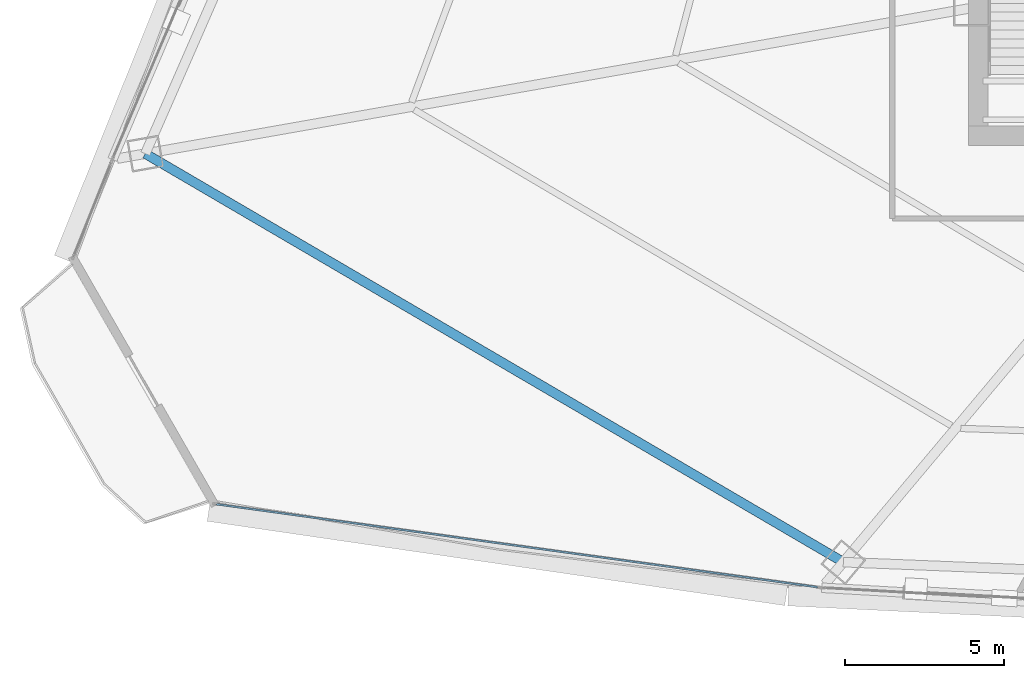
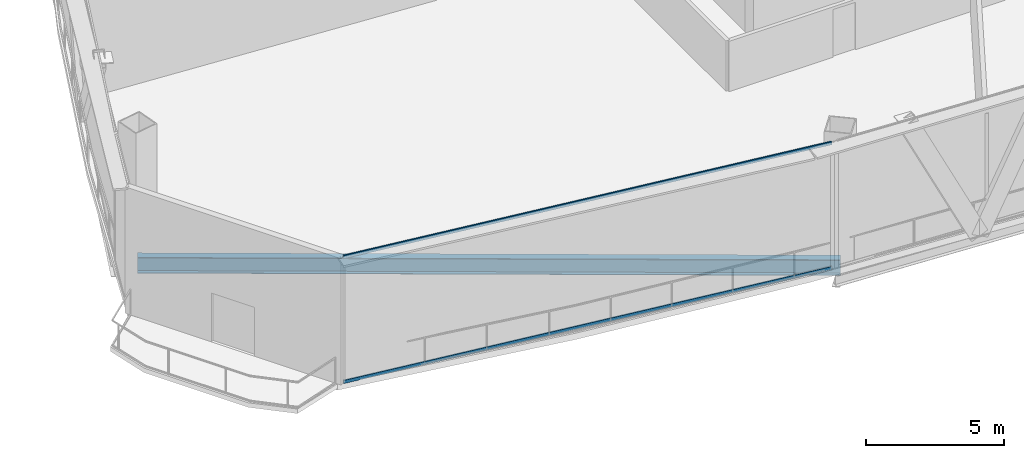
# One storey, part 3 of 36: 2 members, 1 beam, 1 element without a shape of its own.
"""IFC4 building model written with IfcOpenShell, lengths in metres."""

from ifc_helpers import new_model, si_unit, direction, frame, origin, origin_2d, place, context, subcontext, project, spatial, hollow_rectangle, i_section, extrude, source, transform, mapped, material, layer, layer_set, material_profile, profile_set, type_object, element, aggregate, save


model = new_model("IFC4")

# Units and contexts
model_context = context("Model", 3, precision=1e-05, world=origin(), true_north=direction((0.0, 1.0)))
body_context = subcontext(model_context, "Body", "Model", "MODEL_VIEW")
ifc_project = project(units=[si_unit("LENGTHUNIT", "METRE"), si_unit("AREAUNIT", "SQUARE_METRE"), si_unit("VOLUMEUNIT", "CUBIC_METRE"), si_unit("PLANEANGLEUNIT", "RADIAN"), si_unit("MASSUNIT", "GRAM", prefix="KILO"), si_unit("THERMODYNAMICTEMPERATUREUNIT", "KELVIN"), si_unit("POWERUNIT", "WATT")], contexts=[model_context])

# Site, building, storey
site_placement = place(None, origin())
site = spatial("IfcSite", under=ifc_project, at=site_placement, CompositionType="ELEMENT")
building_placement = place(site_placement, origin())
building = spatial("IfcBuilding", under=site, at=building_placement, Name="Yunzhuo Pagoda Commons", CompositionType="ELEMENT")
storey_placement = place(building_placement, frame((0.0, 0.0, 119.179931640625)))
storey = spatial("IfcBuildingStorey", under=building, at=storey_placement, Name="L30", CompositionType="ELEMENT", Elevation=119.179931640625)

# Beam
ifc_material_1 = material(Name="Structural steel Q355B", Category="steel")
ifc_material_profile_1 = material_profile(ifc_material_1, i_section(OverallWidth=0.300048828125, OverallDepth=0.699951171875, WebThickness=0.012939453125, FlangeThickness=0.02392578125, at=origin_2d()), Name="Structural steel Q355B")
ifc_profile_set_1 = profile_set([ifc_material_profile_1], Name="Structural steel Q355B")
beam_type = type_object("IfcBeamType", Name="B-RG1 Beam HN 700x300x13x24", PredefinedType="BEAM", material=ifc_profile_set_1)
shared_shape_1 = source(origin(), body_context, "Body", "SweptSolid", [
    extrude(i_section(OverallWidth=0.300048828125, OverallDepth=0.699951171875, WebThickness=0.012939453125, FlangeThickness=0.02392578125, at=origin_2d()), origin(), (0.0, 0.0, 1.0), 25.3935546875),
])
beam_placement = place(storey_placement, frame((9.647216796875, 26.9375, -0.6298828125), z_axis=(0.863085207128, -0.505058338449, 0.0), x_axis=(0.505058338449, 0.863085207128, 0.0)))
element("IfcBeam", 1, at=beam_placement, inside=storey, type_object=beam_type, Name="L30 column-ring beam 12", PredefinedType="BEAM", context=body_context, shape_type="MappedRepresentation", body=[
    mapped(shared_shape_1, transform((0.0, 0.0, 0.0), scale=1.0)),
])

# Curtain wall, members
ifc_material_2 = material(Name="Anodized aluminium 6063-T6", Category="aluminium")
ifc_layer = layer(ifc_material_2, 0.1650390625)
ifc_layer_set = layer_set([ifc_layer], Name="Anodized aluminium 6063-T6")
curtain_wall_type = type_object("IfcCurtainWallType", Name="CW-LOW Low-Zone Ribbon Curtain Wall", PredefinedType="NOTDEFINED", material=ifc_layer_set)
curtain_wall_placement = place(storey_placement, origin())
curtain_wall = element("IfcCurtainWall", 2, at=curtain_wall_placement, inside=storey, type_object=curtain_wall_type, Name="L30 curtain wall CW-L30-F1B1", PredefinedType="NOTDEFINED")
ifc_material_profile_2 = material_profile(ifc_material_2, hollow_rectangle(XDim=0.06005859375, YDim=0.139892578125, WallThickness=0.00341796875, at=origin_2d()), Name="Anodized aluminium 6063-T6")
ifc_profile_set_2 = profile_set([ifc_material_profile_2], Name="Anodized aluminium 6063-T6")
member_type = type_object("IfcMemberType", Name="CW-LOW-T Transom RHS 140x60x3.5", PredefinedType="USERDEFINED", material=ifc_profile_set_2)
shared_shape_2 = source(origin(), body_context, "Body", "SweptSolid", [
    extrude(hollow_rectangle(XDim=0.06005859375, YDim=0.139892578125, WallThickness=0.00341796875, at=origin_2d()), origin(), (0.0, 0.0, 1.0), 19.0537109375),
])
member_1_placement = place(storey_placement, frame((11.875244140625, 15.930908203125, 0.030029296875), z_axis=(0.990617181694, -0.136666013814, 0.0), x_axis=(0.136666013814, 0.990617181694, 0.0)))
member_1 = element("IfcMember", 3, at=member_1_placement, type_object=member_type, Name="CW transom 1.1", ObjectType="TRANSOM", PredefinedType="USERDEFINED", context=body_context, shape_type="MappedRepresentation", body=[
    mapped(shared_shape_2, transform((0.0, 0.0, 0.0), scale=1.0)),
])
member_2_placement = place(storey_placement, frame((11.875244140625, 15.930908203125, 5.5400390625), z_axis=(0.990617181694, -0.136666013814, 0.0), x_axis=(0.136666013814, 0.990617181694, 0.0)))
member_2 = element("IfcMember", 4, at=member_2_placement, type_object=member_type, Name="CW transom 1.2", ObjectType="TRANSOM", PredefinedType="USERDEFINED", context=body_context, shape_type="MappedRepresentation", body=[
    mapped(shared_shape_2, transform((0.0, 0.0, 0.0), scale=1.0)),
])
aggregate(curtain_wall, [member_1, member_2])

save(model, "model.ifc")
